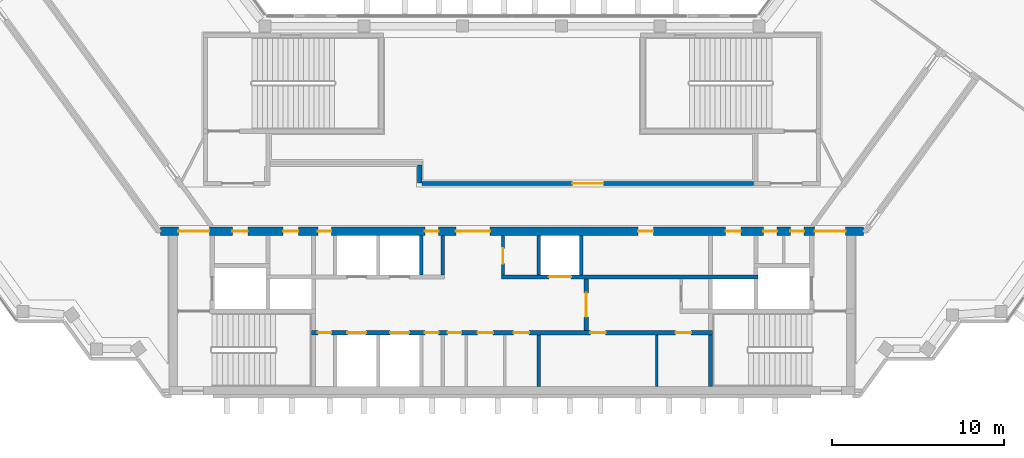
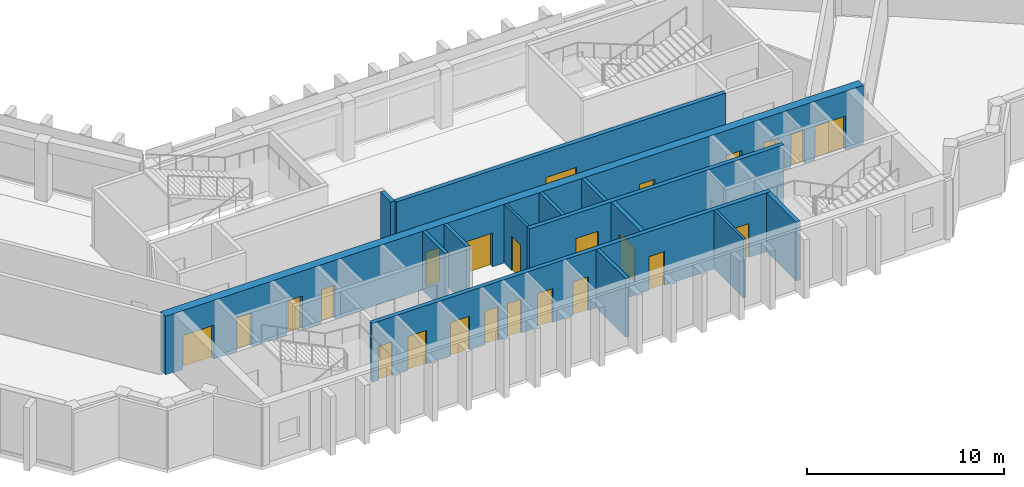
# One storey, part 5 of 9: 24 doors, 14 walls, 24 openings.
"""IFC4 building model written with IfcOpenShell, lengths in metres."""

from ifc_helpers import new_model, si_unit, direction, frame, frame_2d, origin, place, context, subcontext, project, spatial, rectangle, extrude, material, layer, layer_set, type_object, element, fill, save


model = new_model("IFC4")

# Units and contexts
model_context = context("Model", 3, precision=1e-05, world=origin(), true_north=direction((0.0, 1.0)))
body_context = subcontext(model_context, "Body", "Model", "MODEL_VIEW")
ifc_project = project(units=[si_unit("LENGTHUNIT", "METRE"), si_unit("AREAUNIT", "SQUARE_METRE"), si_unit("VOLUMEUNIT", "CUBIC_METRE"), si_unit("PLANEANGLEUNIT", "RADIAN"), si_unit("MASSUNIT", "GRAM", prefix="KILO")], contexts=[model_context])

# Site, building, storey
site_placement = place(None, origin())
site = spatial("IfcSite", under=ifc_project, at=site_placement, CompositionType="ELEMENT")
building_placement = place(site_placement, origin())
building = spatial("IfcBuilding", under=site, at=building_placement, Name="Quipu Civic Tower", CompositionType="ELEMENT")
storey_placement = place(building_placement, frame((0.0, 0.0, 307.0)))
storey = spatial("IfcBuildingStorey", under=building, at=storey_placement, Name="L71", CompositionType="ELEMENT", Elevation=307.0)

# Wall
ifc_material_1 = material(Name="Concrete C70/85", Category="concrete")
ifc_layer_1 = layer(ifc_material_1, 0.25)
ifc_layer_set_1 = layer_set([ifc_layer_1], Name="Concrete C70/85")
wall_type_1 = type_object("IfcWallType", Name="Core wall 250", PredefinedType="SHEAR", material=ifc_layer_set_1)
wall_1_placement = place(storey_placement, frame((11.574951171875, -10.5, 0.0), z_axis=(0.0, 0.0, 1.0), x_axis=(0.0, 1.0, 0.0)))
element("IfcWall", 1, at=wall_1_placement, inside=storey, type_object=wall_type_1, Name="Core wall", PredefinedType="SHEAR", context=body_context, shape_type="SweptSolid", body=[
    extrude(rectangle(XDim=3.0, YDim=0.25, at=frame_2d((1.5, 0.0))), origin(), (0.0, 0.0, 1.0), 3.64990234375),
])

# Wall, openings, doors
wall_2_placement = place(storey_placement, frame((11.699951171875, -7.375, 0.0), z_axis=(0.0, 0.0, 1.0), x_axis=(-1.0, 0.0, 0.0)))
wall_2 = element("IfcWall", 2, at=wall_2_placement, inside=storey, type_object=wall_type_1, Name="Core wall", PredefinedType="SHEAR", context=body_context, shape_type="SweptSolid", body=[
    extrude(rectangle(XDim=23.39990234375, YDim=0.25, at=frame_2d((11.699951171875, 0.0))), origin(), (0.0, 0.0, 1.0), 3.64990234375),
])
opening_1_placement = place(wall_2_placement, frame((22.22509765625, 0.0, 0.0)))
opening_1 = element("IfcOpeningElement", 3, at=opening_1_placement, cuts=wall_2, Name="Opening CD-01", PredefinedType="OPENING", context=body_context, shape_type="SweptSolid", body=[
    extrude(rectangle(XDim=0.800048828125, YDim=2.10009765625, at=frame_2d((0.39990234375, 1.050048828125))), frame((0.0, 0.135009765625, 0.0), z_axis=(0.0, -1.0, 0.0), x_axis=(1.0, 0.0, 0.0)), (0.0, 0.0, 1.0), 0.27001953125),
])
opening_2_placement = place(wall_2_placement, frame((20.199951171875, 0.0, 0.0)))
opening_2 = element("IfcOpeningElement", 4, at=opening_2_placement, cuts=wall_2, Name="Opening LD-HL1", PredefinedType="OPENING", context=body_context, shape_type="SweptSolid", body=[
    extrude(rectangle(XDim=1.10009765625, YDim=2.10009765625, at=frame_2d((0.550048828125, 1.050048828125))), frame((0.0, 0.135009765625, 0.0), z_axis=(0.0, -1.0, 0.0), x_axis=(1.0, 0.0, 0.0)), (0.0, 0.0, 1.0), 0.27001953125),
])
opening_3_placement = place(wall_2_placement, frame((17.699951171875, 0.0, 0.0)))
opening_3 = element("IfcOpeningElement", 5, at=opening_3_placement, cuts=wall_2, Name="Opening LD-HL2", PredefinedType="OPENING", context=body_context, shape_type="SweptSolid", body=[
    extrude(rectangle(XDim=1.10009765625, YDim=2.10009765625, at=frame_2d((0.550048828125, 1.050048828125))), frame((0.0, 0.135009765625, 0.0), z_axis=(0.0, -1.0, 0.0), x_axis=(1.0, 0.0, 0.0)), (0.0, 0.0, 1.0), 0.27001953125),
])
opening_4_placement = place(wall_2_placement, frame((15.97509765625, 0.0, 0.0)))
opening_4 = element("IfcOpeningElement", 6, at=opening_4_placement, cuts=wall_2, Name="Opening CD-02", PredefinedType="OPENING", context=body_context, shape_type="SweptSolid", body=[
    extrude(rectangle(XDim=0.800048828125, YDim=2.10009765625, at=frame_2d((0.39990234375, 1.050048828125))), frame((0.0, 0.135009765625, 0.0), z_axis=(0.0, -1.0, 0.0), x_axis=(1.0, 0.0, 0.0)), (0.0, 0.0, 1.0), 0.27001953125),
])
opening_5_placement = place(wall_2_placement, frame((14.64990234375, 0.0, 0.0)))
opening_5 = element("IfcOpeningElement", 7, at=opening_5_placement, cuts=wall_2, Name="Opening CD-03", PredefinedType="OPENING", context=body_context, shape_type="SweptSolid", body=[
    extrude(rectangle(XDim=0.800048828125, YDim=2.10009765625, at=frame_2d((0.39990234375, 1.050048828125))), frame((0.0, 0.135009765625, 0.0), z_axis=(0.0, -1.0, 0.0), x_axis=(1.0, 0.0, 0.0)), (0.0, 0.0, 1.0), 0.27001953125),
])
opening_6_placement = place(wall_2_placement, frame((12.800048828125, 0.0, 0.0)))
opening_6 = element("IfcOpeningElement", 8, at=opening_6_placement, cuts=wall_2, Name="Opening CD-04", PredefinedType="OPENING", context=body_context, shape_type="SweptSolid", body=[
    extrude(rectangle(XDim=0.89990234375, YDim=2.10009765625, at=frame_2d((0.449951171875, 1.050048828125))), frame((0.0, 0.135009765625, 0.0), z_axis=(0.0, -1.0, 0.0), x_axis=(1.0, 0.0, 0.0)), (0.0, 0.0, 1.0), 0.27001953125),
])
opening_7_placement = place(wall_2_placement, frame((10.699951171875, 0.0, 0.0)))
opening_7 = element("IfcOpeningElement", 9, at=opening_7_placement, cuts=wall_2, Name="Opening CD-05", PredefinedType="OPENING", context=body_context, shape_type="SweptSolid", body=[
    extrude(rectangle(XDim=0.89990234375, YDim=2.10009765625, at=frame_2d((0.449951171875, 1.050048828125))), frame((0.0, 0.135009765625, 0.0), z_axis=(0.0, -1.0, 0.0), x_axis=(1.0, 0.0, 0.0)), (0.0, 0.0, 1.0), 0.27001953125),
])
opening_8_placement = place(wall_2_placement, frame((6.237060546875, 0.0, 0.0)))
opening_8 = element("IfcOpeningElement", 10, at=opening_8_placement, cuts=wall_2, Name="Opening CD-06", PredefinedType="OPENING", context=body_context, shape_type="SweptSolid", body=[
    extrude(rectangle(XDim=0.89990234375, YDim=2.10009765625, at=frame_2d((0.449951171875, 1.050048828125))), frame((0.0, 0.135009765625, 0.0), z_axis=(0.0, -1.0, 0.0), x_axis=(1.0, 0.0, 0.0)), (0.0, 0.0, 1.0), 0.27001953125),
])
opening_9_placement = place(wall_2_placement, frame((1.262939453125, 0.0, 0.0)))
opening_9 = element("IfcOpeningElement", 11, at=opening_9_placement, cuts=wall_2, Name="Opening CD-07", PredefinedType="OPENING", context=body_context, shape_type="SweptSolid", body=[
    extrude(rectangle(XDim=0.89990234375, YDim=2.10009765625, at=frame_2d((0.449951171875, 1.050048828125))), frame((0.0, 0.135009765625, 0.0), z_axis=(0.0, -1.0, 0.0), x_axis=(1.0, 0.0, 0.0)), (0.0, 0.0, 1.0), 0.27001953125),
])
ifc_material_2 = material(Name="Fire rated steel door", Category="steel")
door_type_1 = type_object("IfcDoorType", Name="Fire door FD60 800 x 2100", OperationType="NOTDEFINED", PredefinedType="DOOR", material=ifc_material_2)
door_1_placement = place(opening_1_placement, origin())
door_1 = element("IfcDoor", 12, at=door_1_placement, inside=storey, type_object=door_type_1, Name="Door", OperationType="SINGLE_SWING_RIGHT", OverallHeight=2.10009765625, OverallWidth=0.800048828125, PredefinedType="DOOR", context=body_context, shape_type="SweptSolid", body=[
    extrude(rectangle(XDim=0.800048828125, YDim=2.10009765625, at=frame_2d((0.39990234375, 1.050048828125))), frame((0.0, 0.02490234375, 0.0), z_axis=(0.0, -1.0, 0.0), x_axis=(1.0, 0.0, 0.0)), (0.0, 0.0, 1.0), 0.050048828125),
])
fill(opening_1, door_1)
door_2_placement = place(opening_4_placement, origin())
door_2 = element("IfcDoor", 13, at=door_2_placement, inside=storey, type_object=door_type_1, Name="Door", OperationType="SINGLE_SWING_RIGHT", OverallHeight=2.10009765625, OverallWidth=0.800048828125, PredefinedType="DOOR", context=body_context, shape_type="SweptSolid", body=[
    extrude(rectangle(XDim=0.800048828125, YDim=2.10009765625, at=frame_2d((0.39990234375, 1.050048828125))), frame((0.0, 0.02490234375, 0.0), z_axis=(0.0, -1.0, 0.0), x_axis=(1.0, 0.0, 0.0)), (0.0, 0.0, 1.0), 0.050048828125),
])
fill(opening_4, door_2)
door_3_placement = place(opening_5_placement, origin())
door_3 = element("IfcDoor", 14, at=door_3_placement, inside=storey, type_object=door_type_1, Name="Door", OperationType="SINGLE_SWING_RIGHT", OverallHeight=2.10009765625, OverallWidth=0.800048828125, PredefinedType="DOOR", context=body_context, shape_type="SweptSolid", body=[
    extrude(rectangle(XDim=0.800048828125, YDim=2.10009765625, at=frame_2d((0.39990234375, 1.050048828125))), frame((0.0, 0.02490234375, 0.0), z_axis=(0.0, -1.0, 0.0), x_axis=(1.0, 0.0, 0.0)), (0.0, 0.0, 1.0), 0.050048828125),
])
fill(opening_5, door_3)
ifc_material_3 = material(Name="Fire rated steel door", Category="steel")
door_type_2 = type_object("IfcDoorType", Name="Fire door FD60 900 x 2100", OperationType="NOTDEFINED", PredefinedType="DOOR", material=ifc_material_3)
door_4_placement = place(opening_6_placement, origin())
door_4 = element("IfcDoor", 15, at=door_4_placement, inside=storey, type_object=door_type_2, Name="WC door", OperationType="SINGLE_SWING_RIGHT", OverallHeight=2.10009765625, OverallWidth=0.89990234375, PredefinedType="DOOR", context=body_context, shape_type="SweptSolid", body=[
    extrude(rectangle(XDim=0.89990234375, YDim=2.10009765625, at=frame_2d((0.449951171875, 1.050048828125))), frame((0.0, 0.02490234375, 0.0), z_axis=(0.0, -1.0, 0.0), x_axis=(1.0, 0.0, 0.0)), (0.0, 0.0, 1.0), 0.050048828125),
])
fill(opening_6, door_4)
door_5_placement = place(opening_7_placement, origin())
door_5 = element("IfcDoor", 16, at=door_5_placement, inside=storey, type_object=door_type_2, Name="WC door", OperationType="SINGLE_SWING_LEFT", OverallHeight=2.10009765625, OverallWidth=0.89990234375, PredefinedType="DOOR", context=body_context, shape_type="SweptSolid", body=[
    extrude(rectangle(XDim=0.89990234375, YDim=2.10009765625, at=frame_2d((0.449951171875, 1.050048828125))), frame((0.0, 0.02490234375, 0.0), z_axis=(0.0, -1.0, 0.0), x_axis=(1.0, 0.0, 0.0)), (0.0, 0.0, 1.0), 0.050048828125),
])
fill(opening_7, door_5)
door_6_placement = place(opening_8_placement, origin())
door_6 = element("IfcDoor", 17, at=door_6_placement, inside=storey, type_object=door_type_2, Name="Door", OperationType="SINGLE_SWING_LEFT", OverallHeight=2.10009765625, OverallWidth=0.89990234375, PredefinedType="DOOR", context=body_context, shape_type="SweptSolid", body=[
    extrude(rectangle(XDim=0.89990234375, YDim=2.10009765625, at=frame_2d((0.449951171875, 1.050048828125))), frame((0.0, 0.02490234375, 0.0), z_axis=(0.0, -1.0, 0.0), x_axis=(1.0, 0.0, 0.0)), (0.0, 0.0, 1.0), 0.050048828125),
])
fill(opening_8, door_6)
door_7_placement = place(opening_9_placement, origin())
door_7 = element("IfcDoor", 18, at=door_7_placement, inside=storey, type_object=door_type_2, Name="Door", OperationType="SINGLE_SWING_LEFT", OverallHeight=2.10009765625, OverallWidth=0.89990234375, PredefinedType="DOOR", context=body_context, shape_type="SweptSolid", body=[
    extrude(rectangle(XDim=0.89990234375, YDim=2.10009765625, at=frame_2d((0.449951171875, 1.050048828125))), frame((0.0, 0.02490234375, 0.0), z_axis=(0.0, -1.0, 0.0), x_axis=(1.0, 0.0, 0.0)), (0.0, 0.0, 1.0), 0.050048828125),
])
fill(opening_9, door_7)
ifc_material_4 = material(Name="Stainless steel", Category="steel")
door_type_3 = type_object("IfcDoorType", Name="Lift landing door 1100 x 2100", OperationType="DOUBLE_DOOR_SLIDING", PredefinedType="DOOR", material=ifc_material_4)
door_8_placement = place(opening_2_placement, origin())
door_8 = element("IfcDoor", 19, at=door_8_placement, inside=storey, type_object=door_type_3, Name="Landing door HL1", OperationType="DOUBLE_DOOR_SLIDING", OverallHeight=2.10009765625, OverallWidth=1.10009765625, PredefinedType="DOOR", context=body_context, shape_type="SweptSolid", body=[
    extrude(rectangle(XDim=1.10009765625, YDim=2.10009765625, at=frame_2d((0.550048828125, 1.050048828125))), frame((0.0, 0.02490234375, 0.0), z_axis=(0.0, -1.0, 0.0), x_axis=(1.0, 0.0, 0.0)), (0.0, 0.0, 1.0), 0.050048828125),
])
fill(opening_2, door_8)
door_9_placement = place(opening_3_placement, origin())
door_9 = element("IfcDoor", 20, at=door_9_placement, inside=storey, type_object=door_type_3, Name="Landing door HL2", OperationType="DOUBLE_DOOR_SLIDING", OverallHeight=2.10009765625, OverallWidth=1.10009765625, PredefinedType="DOOR", context=body_context, shape_type="SweptSolid", body=[
    extrude(rectangle(XDim=1.10009765625, YDim=2.10009765625, at=frame_2d((0.550048828125, 1.050048828125))), frame((0.0, 0.02490234375, 0.0), z_axis=(0.0, -1.0, 0.0), x_axis=(1.0, 0.0, 0.0)), (0.0, 0.0, 1.0), 0.050048828125),
])
fill(opening_3, door_9)

# Wall, opening, door
wall_3_placement = place(storey_placement, frame((4.324951171875, -7.25, 0.0), z_axis=(0.0, 0.0, 1.0), x_axis=(0.0, 1.0, 0.0)))
wall_3 = element("IfcWall", 21, at=wall_3_placement, inside=storey, type_object=wall_type_1, Name="Core wall", PredefinedType="SHEAR", context=body_context, shape_type="SweptSolid", body=[
    extrude(rectangle(XDim=3.0, YDim=0.25, at=frame_2d((1.5, 0.0))), origin(), (0.0, 0.0, 1.0), 3.64990234375),
])
opening_10_placement = place(wall_3_placement, frame((0.800048828125, 0.0, 0.0)))
opening_10 = element("IfcOpeningElement", 22, at=opening_10_placement, cuts=wall_3, Name="Opening CD-10", PredefinedType="OPENING", context=body_context, shape_type="SweptSolid", body=[
    extrude(rectangle(XDim=1.39990234375, YDim=2.10009765625, at=frame_2d((0.699951171875, 1.050048828125))), frame((0.0, 0.135009765625, 0.0), z_axis=(0.0, -1.0, 0.0), x_axis=(1.0, 0.0, 0.0)), (0.0, 0.0, 1.0), 0.27001953125),
])
ifc_material_5 = material(Name="Fire rated steel door", Category="steel")
door_type_4 = type_object("IfcDoorType", Name="Fire door FD60 double 1400 x 2100", OperationType="NOTDEFINED", PredefinedType="DOOR", material=ifc_material_5)
door_10_placement = place(opening_10_placement, origin())
door_10 = element("IfcDoor", 23, at=door_10_placement, inside=storey, type_object=door_type_4, Name="Hall door", OperationType="DOUBLE_DOOR_SINGLE_SWING", OverallHeight=2.10009765625, OverallWidth=1.39990234375, PredefinedType="DOOR", context=body_context, shape_type="SweptSolid", body=[
    extrude(rectangle(XDim=1.39990234375, YDim=2.10009765625, at=frame_2d((0.699951171875, 1.050048828125))), frame((0.0, 0.02490234375, 0.0), z_axis=(0.0, -1.0, 0.0), x_axis=(1.0, 0.0, 0.0)), (0.0, 0.0, 1.0), 0.050048828125),
])
fill(opening_10, door_10)

wall_4_placement = place(storey_placement, frame((-0.60009765625, -4.125, 0.0), z_axis=(0.0, 0.0, 1.0), x_axis=(1.0, 0.0, 0.0)))
wall_4 = element("IfcWall", 24, at=wall_4_placement, inside=storey, type_object=wall_type_1, Name="Core wall", PredefinedType="SHEAR", context=body_context, shape_type="SweptSolid", body=[
    extrude(rectangle(XDim=14.9501953125, YDim=0.25, at=frame_2d((7.47509765625, 0.0))), origin(), (0.0, 0.0, 1.0), 3.64990234375),
])
opening_11_placement = place(wall_4_placement, frame((2.75, 0.0, 0.0)))
opening_11 = element("IfcOpeningElement", 25, at=opening_11_placement, cuts=wall_4, Name="Opening LD-FF3", PredefinedType="OPENING", context=body_context, shape_type="SweptSolid", body=[
    extrude(rectangle(XDim=1.300048828125, YDim=2.10009765625, at=frame_2d((0.64990234375, 1.050048828125))), frame((0.0, 0.135009765625, 0.0), z_axis=(0.0, -1.0, 0.0), x_axis=(1.0, 0.0, 0.0)), (0.0, 0.0, 1.0), 0.27001953125),
])
ifc_material_6 = material(Name="Stainless steel", Category="steel")
door_type_5 = type_object("IfcDoorType", Name="Lift landing door 1300 x 2100", OperationType="DOUBLE_DOOR_SLIDING", PredefinedType="DOOR", material=ifc_material_6)
door_11_placement = place(opening_11_placement, origin())
door_11 = element("IfcDoor", 26, at=door_11_placement, inside=storey, type_object=door_type_5, Name="Landing door FF3", OperationType="DOUBLE_DOOR_SLIDING", OverallHeight=2.10009765625, OverallWidth=1.300048828125, PredefinedType="DOOR", context=body_context, shape_type="SweptSolid", body=[
    extrude(rectangle(XDim=1.300048828125, YDim=2.10009765625, at=frame_2d((0.64990234375, 1.050048828125))), frame((0.0, 0.02490234375, 0.0), z_axis=(0.0, -1.0, 0.0), x_axis=(1.0, 0.0, 0.0)), (0.0, 0.0, 1.0), 0.050048828125),
])
fill(opening_11, door_11)

# Wall, openings, doors
ifc_material_7 = material(Name="Concrete C70/85", Category="concrete")
ifc_layer_2 = layer(ifc_material_7, 0.5)
ifc_layer_set_2 = layer_set([ifc_layer_2], Name="Concrete C70/85")
wall_type_2 = type_object("IfcWallType", Name="Core wall 500", PredefinedType="SHEAR", material=ifc_layer_set_2)
wall_5_placement = place(storey_placement, frame((20.489990234375, -1.449951171875, 0.0), z_axis=(0.0, 0.0, 1.0), x_axis=(-1.0, 0.0, 0.0)))
wall_5 = element("IfcWall", 27, at=wall_5_placement, inside=storey, type_object=wall_type_2, Name="Core wall", PredefinedType="SHEAR", context=body_context, shape_type="SweptSolid", body=[
    extrude(rectangle(XDim=40.97998046875, YDim=0.5, at=frame_2d((20.489990234375, 0.0))), origin(), (0.0, 0.0, 1.0), 3.64990234375),
])
opening_12_placement = place(wall_5_placement, frame((38.139892578125, 0.0, 0.0)))
opening_12 = element("IfcOpeningElement", 28, at=opening_12_placement, cuts=wall_5, Name="Opening CD-13", PredefinedType="OPENING", context=body_context, shape_type="SweptSolid", body=[
    extrude(rectangle(XDim=1.800048828125, YDim=2.10009765625, at=frame_2d((0.89990234375, 1.050048828125))), frame((0.0, 0.260009765625, 0.0), z_axis=(0.0, -1.0, 0.0), x_axis=(1.0, 0.0, 0.0)), (0.0, 0.0, 1.0), 0.52001953125),
])
opening_13_placement = place(wall_5_placement, frame((35.889892578125, 0.0, 0.0)))
opening_13 = element("IfcOpeningElement", 29, at=opening_13_placement, cuts=wall_5, Name="Opening CD-14", PredefinedType="OPENING", context=body_context, shape_type="SweptSolid", body=[
    extrude(rectangle(XDim=0.89990234375, YDim=2.10009765625, at=frame_2d((0.449951171875, 1.050048828125))), frame((0.0, 0.260009765625, 0.0), z_axis=(0.0, -1.0, 0.0), x_axis=(1.0, 0.0, 0.0)), (0.0, 0.0, 1.0), 0.52001953125),
])
opening_14_placement = place(wall_5_placement, frame((32.93994140625, 0.0, 0.0)))
opening_14 = element("IfcOpeningElement", 30, at=opening_14_placement, cuts=wall_5, Name="Opening CD-15", PredefinedType="OPENING", context=body_context, shape_type="SweptSolid", body=[
    extrude(rectangle(XDim=0.89990234375, YDim=2.10009765625, at=frame_2d((0.449951171875, 1.050048828125))), frame((0.0, 0.260009765625, 0.0), z_axis=(0.0, -1.0, 0.0), x_axis=(1.0, 0.0, 0.0)), (0.0, 0.0, 1.0), 0.52001953125),
])
opening_15_placement = place(wall_5_placement, frame((31.014892578125, 0.0, 0.0)))
opening_15 = element("IfcOpeningElement", 31, at=opening_15_placement, cuts=wall_5, Name="Opening CD-16", PredefinedType="OPENING", context=body_context, shape_type="SweptSolid", body=[
    extrude(rectangle(XDim=0.800048828125, YDim=2.10009765625, at=frame_2d((0.39990234375, 1.050048828125))), frame((0.0, 0.260009765625, 0.0), z_axis=(0.0, -1.0, 0.0), x_axis=(1.0, 0.0, 0.0)), (0.0, 0.0, 1.0), 0.52001953125),
])
opening_16_placement = place(wall_5_placement, frame((24.764892578125, 0.0, 0.0)))
opening_16 = element("IfcOpeningElement", 32, at=opening_16_placement, cuts=wall_5, Name="Opening CD-17", PredefinedType="OPENING", context=body_context, shape_type="SweptSolid", body=[
    extrude(rectangle(XDim=0.800048828125, YDim=2.10009765625, at=frame_2d((0.39990234375, 1.050048828125))), frame((0.0, 0.260009765625, 0.0), z_axis=(0.0, -1.0, 0.0), x_axis=(1.0, 0.0, 0.0)), (0.0, 0.0, 1.0), 0.52001953125),
])
opening_17_placement = place(wall_5_placement, frame((21.764892578125, 0.0, 0.0)))
opening_17 = element("IfcOpeningElement", 33, at=opening_17_placement, cuts=wall_5, Name="Opening CD-18", PredefinedType="OPENING", context=body_context, shape_type="SweptSolid", body=[
    extrude(rectangle(XDim=2.0, YDim=2.10009765625, at=frame_2d((1.0, 1.050048828125))), frame((0.0, 0.260009765625, 0.0), z_axis=(0.0, -1.0, 0.0), x_axis=(1.0, 0.0, 0.0)), (0.0, 0.0, 1.0), 0.52001953125),
])
opening_18_placement = place(wall_5_placement, frame((12.239990234375, 0.0, 0.0)))
opening_18 = element("IfcOpeningElement", 34, at=opening_18_placement, cuts=wall_5, Name="Opening CD-19", PredefinedType="OPENING", context=body_context, shape_type="SweptSolid", body=[
    extrude(rectangle(XDim=0.89990234375, YDim=2.10009765625, at=frame_2d((0.449951171875, 1.050048828125))), frame((0.0, 0.260009765625, 0.0), z_axis=(0.0, -1.0, 0.0), x_axis=(1.0, 0.0, 0.0)), (0.0, 0.0, 1.0), 0.52001953125),
])
opening_19_placement = place(wall_5_placement, frame((7.139892578125, 0.0, 0.0)))
opening_19 = element("IfcOpeningElement", 35, at=opening_19_placement, cuts=wall_5, Name="Opening CD-20", PredefinedType="OPENING", context=body_context, shape_type="SweptSolid", body=[
    extrude(rectangle(XDim=0.89990234375, YDim=2.10009765625, at=frame_2d((0.449951171875, 1.050048828125))), frame((0.0, 0.260009765625, 0.0), z_axis=(0.0, -1.0, 0.0), x_axis=(1.0, 0.0, 0.0)), (0.0, 0.0, 1.0), 0.52001953125),
])
opening_20_placement = place(wall_5_placement, frame((5.027587890625, 0.0, 0.0)))
opening_20 = element("IfcOpeningElement", 36, at=opening_20_placement, cuts=wall_5, Name="Opening CD-21", PredefinedType="OPENING", context=body_context, shape_type="SweptSolid", body=[
    extrude(rectangle(XDim=0.800048828125, YDim=2.10009765625, at=frame_2d((0.39990234375, 1.050048828125))), frame((0.0, 0.260009765625, 0.0), z_axis=(0.0, -1.0, 0.0), x_axis=(1.0, 0.0, 0.0)), (0.0, 0.0, 1.0), 0.52001953125),
])
opening_21_placement = place(wall_5_placement, frame((3.452392578125, 0.0, 0.0)))
opening_21 = element("IfcOpeningElement", 37, at=opening_21_placement, cuts=wall_5, Name="Opening CD-22", PredefinedType="OPENING", context=body_context, shape_type="SweptSolid", body=[
    extrude(rectangle(XDim=0.800048828125, YDim=2.10009765625, at=frame_2d((0.39990234375, 1.050048828125))), frame((0.0, 0.260009765625, 0.0), z_axis=(0.0, -1.0, 0.0), x_axis=(1.0, 0.0, 0.0)), (0.0, 0.0, 1.0), 0.52001953125),
])
opening_22_placement = place(wall_5_placement, frame((1.0400390625, 0.0, 0.0)))
opening_22 = element("IfcOpeningElement", 38, at=opening_22_placement, cuts=wall_5, Name="Opening CD-23", PredefinedType="OPENING", context=body_context, shape_type="SweptSolid", body=[
    extrude(rectangle(XDim=1.800048828125, YDim=2.10009765625, at=frame_2d((0.89990234375, 1.050048828125))), frame((0.0, 0.260009765625, 0.0), z_axis=(0.0, -1.0, 0.0), x_axis=(1.0, 0.0, 0.0)), (0.0, 0.0, 1.0), 0.52001953125),
])
door_12_placement = place(opening_15_placement, origin())
door_12 = element("IfcDoor", 39, at=door_12_placement, inside=storey, type_object=door_type_1, Name="Door", OperationType="SINGLE_SWING_RIGHT", OverallHeight=2.10009765625, OverallWidth=0.800048828125, PredefinedType="DOOR", context=body_context, shape_type="SweptSolid", body=[
    extrude(rectangle(XDim=0.800048828125, YDim=2.10009765625, at=frame_2d((0.39990234375, 1.050048828125))), frame((0.0, 0.02490234375, 0.0), z_axis=(0.0, -1.0, 0.0), x_axis=(1.0, 0.0, 0.0)), (0.0, 0.0, 1.0), 0.050048828125),
])
fill(opening_15, door_12)
door_13_placement = place(opening_16_placement, origin())
door_13 = element("IfcDoor", 40, at=door_13_placement, inside=storey, type_object=door_type_1, Name="Door", OperationType="SINGLE_SWING_RIGHT", OverallHeight=2.10009765625, OverallWidth=0.800048828125, PredefinedType="DOOR", context=body_context, shape_type="SweptSolid", body=[
    extrude(rectangle(XDim=0.800048828125, YDim=2.10009765625, at=frame_2d((0.39990234375, 1.050048828125))), frame((0.0, 0.02490234375, 0.0), z_axis=(0.0, -1.0, 0.0), x_axis=(1.0, 0.0, 0.0)), (0.0, 0.0, 1.0), 0.050048828125),
])
fill(opening_16, door_13)
door_14_placement = place(opening_20_placement, origin())
door_14 = element("IfcDoor", 41, at=door_14_placement, inside=storey, type_object=door_type_1, Name="Door", OperationType="SINGLE_SWING_LEFT", OverallHeight=2.10009765625, OverallWidth=0.800048828125, PredefinedType="DOOR", context=body_context, shape_type="SweptSolid", body=[
    extrude(rectangle(XDim=0.800048828125, YDim=2.10009765625, at=frame_2d((0.39990234375, 1.050048828125))), frame((0.0, 0.02490234375, 0.0), z_axis=(0.0, -1.0, 0.0), x_axis=(1.0, 0.0, 0.0)), (0.0, 0.0, 1.0), 0.050048828125),
])
fill(opening_20, door_14)
door_15_placement = place(opening_21_placement, origin())
door_15 = element("IfcDoor", 42, at=door_15_placement, inside=storey, type_object=door_type_1, Name="Door", OperationType="SINGLE_SWING_LEFT", OverallHeight=2.10009765625, OverallWidth=0.800048828125, PredefinedType="DOOR", context=body_context, shape_type="SweptSolid", body=[
    extrude(rectangle(XDim=0.800048828125, YDim=2.10009765625, at=frame_2d((0.39990234375, 1.050048828125))), frame((0.0, 0.02490234375, 0.0), z_axis=(0.0, -1.0, 0.0), x_axis=(1.0, 0.0, 0.0)), (0.0, 0.0, 1.0), 0.050048828125),
])
fill(opening_21, door_15)
door_16_placement = place(opening_13_placement, origin())
door_16 = element("IfcDoor", 43, at=door_16_placement, inside=storey, type_object=door_type_2, Name="Door", OperationType="SINGLE_SWING_RIGHT", OverallHeight=2.10009765625, OverallWidth=0.89990234375, PredefinedType="DOOR", context=body_context, shape_type="SweptSolid", body=[
    extrude(rectangle(XDim=0.89990234375, YDim=2.10009765625, at=frame_2d((0.449951171875, 1.050048828125))), frame((0.0, 0.02490234375, 0.0), z_axis=(0.0, -1.0, 0.0), x_axis=(1.0, 0.0, 0.0)), (0.0, 0.0, 1.0), 0.050048828125),
])
fill(opening_13, door_16)
door_17_placement = place(opening_14_placement, origin())
door_17 = element("IfcDoor", 44, at=door_17_placement, inside=storey, type_object=door_type_2, Name="Riser door", OperationType="SINGLE_SWING_RIGHT", OverallHeight=2.10009765625, OverallWidth=0.89990234375, PredefinedType="DOOR", context=body_context, shape_type="SweptSolid", body=[
    extrude(rectangle(XDim=0.89990234375, YDim=2.10009765625, at=frame_2d((0.449951171875, 1.050048828125))), frame((0.0, 0.02490234375, 0.0), z_axis=(0.0, -1.0, 0.0), x_axis=(1.0, 0.0, 0.0)), (0.0, 0.0, 1.0), 0.050048828125),
])
fill(opening_14, door_17)
door_18_placement = place(opening_18_placement, origin())
door_18 = element("IfcDoor", 45, at=door_18_placement, inside=storey, type_object=door_type_2, Name="Door", OperationType="SINGLE_SWING_LEFT", OverallHeight=2.10009765625, OverallWidth=0.89990234375, PredefinedType="DOOR", context=body_context, shape_type="SweptSolid", body=[
    extrude(rectangle(XDim=0.89990234375, YDim=2.10009765625, at=frame_2d((0.449951171875, 1.050048828125))), frame((0.0, 0.02490234375, 0.0), z_axis=(0.0, -1.0, 0.0), x_axis=(1.0, 0.0, 0.0)), (0.0, 0.0, 1.0), 0.050048828125),
])
fill(opening_18, door_18)
door_19_placement = place(opening_19_placement, origin())
door_19 = element("IfcDoor", 46, at=door_19_placement, inside=storey, type_object=door_type_2, Name="Riser door", OperationType="SINGLE_SWING_LEFT", OverallHeight=2.10009765625, OverallWidth=0.89990234375, PredefinedType="DOOR", context=body_context, shape_type="SweptSolid", body=[
    extrude(rectangle(XDim=0.89990234375, YDim=2.10009765625, at=frame_2d((0.449951171875, 1.050048828125))), frame((0.0, 0.02490234375, 0.0), z_axis=(0.0, -1.0, 0.0), x_axis=(1.0, 0.0, 0.0)), (0.0, 0.0, 1.0), 0.050048828125),
])
fill(opening_19, door_19)
ifc_material_8 = material(Name="Fire rated steel door", Category="steel")
door_type_6 = type_object("IfcDoorType", Name="Fire door FD90 double 1800 x 2100", OperationType="NOTDEFINED", PredefinedType="DOOR", material=ifc_material_8)
door_20_placement = place(opening_12_placement, origin())
door_20 = element("IfcDoor", 47, at=door_20_placement, inside=storey, type_object=door_type_6, Name="Lobby door", OperationType="DOUBLE_DOOR_SINGLE_SWING", OverallHeight=2.10009765625, OverallWidth=1.800048828125, PredefinedType="DOOR", context=body_context, shape_type="SweptSolid", body=[
    extrude(rectangle(XDim=1.800048828125, YDim=2.10009765625, at=frame_2d((0.89990234375, 1.050048828125))), frame((0.0, 0.02490234375, 0.0), z_axis=(0.0, -1.0, 0.0), x_axis=(1.0, 0.0, 0.0)), (0.0, 0.0, 1.0), 0.050048828125),
])
fill(opening_12, door_20)
door_21_placement = place(opening_22_placement, origin())
door_21 = element("IfcDoor", 48, at=door_21_placement, inside=storey, type_object=door_type_6, Name="Lobby door", OperationType="DOUBLE_DOOR_SINGLE_SWING", OverallHeight=2.10009765625, OverallWidth=1.800048828125, PredefinedType="DOOR", context=body_context, shape_type="SweptSolid", body=[
    extrude(rectangle(XDim=1.800048828125, YDim=2.10009765625, at=frame_2d((0.89990234375, 1.050048828125))), frame((0.0, 0.02490234375, 0.0), z_axis=(0.0, -1.0, 0.0), x_axis=(1.0, 0.0, 0.0)), (0.0, 0.0, 1.0), 0.050048828125),
])
fill(opening_22, door_21)
ifc_material_9 = material(Name="Fire rated steel door", Category="steel")
door_type_7 = type_object("IfcDoorType", Name="Fire door FD90 double 2000 x 2100", OperationType="NOTDEFINED", PredefinedType="DOOR", material=ifc_material_9)
door_22_placement = place(opening_17_placement, origin())
door_22 = element("IfcDoor", 49, at=door_22_placement, inside=storey, type_object=door_type_7, Name="Lobby door", OperationType="DOUBLE_DOOR_SINGLE_SWING", OverallHeight=2.10009765625, OverallWidth=2.0, PredefinedType="DOOR", context=body_context, shape_type="SweptSolid", body=[
    extrude(rectangle(XDim=2.0, YDim=2.10009765625, at=frame_2d((1.0, 1.050048828125))), frame((0.0, 0.02490234375, 0.0), z_axis=(0.0, -1.0, 0.0), x_axis=(1.0, 0.0, 0.0)), (0.0, 0.0, 1.0), 0.050048828125),
])
fill(opening_17, door_22)

# Wall
ifc_material_10 = material(Name="Concrete C50/60", Category="concrete")
ifc_layer_3 = layer(ifc_material_10, 0.25)
ifc_layer_set_3 = layer_set([ifc_layer_3], Name="Concrete C50/60")
wall_type_3 = type_object("IfcWallType", Name="Corridor wall 250 concrete", PredefinedType="SOLIDWALL", material=ifc_layer_set_3)
wall_6_placement = place(storey_placement, frame((-5.375, 2.39990234375, 0.0), z_axis=(0.0, 0.0, 1.0), x_axis=(0.0, -1.0, 0.0)))
element("IfcWall", 50, at=wall_6_placement, inside=storey, type_object=wall_type_3, Name="Corridor wall C08", PredefinedType="SOLIDWALL", context=body_context, shape_type="SweptSolid", body=[
    extrude(rectangle(XDim=1.041259765625, YDim=0.25, at=frame_2d((0.5205078125, 0.0))), origin(), (0.0, 0.0, 1.0), 3.64990234375),
])

# Wall, opening, door
wall_7_placement = place(storey_placement, frame((-5.246337890625, 1.324951171875, 0.0), z_axis=(0.0, 0.0, 1.0), x_axis=(1.0, 0.0, 0.0)))
wall_7 = element("IfcWall", 51, at=wall_7_placement, inside=storey, type_object=wall_type_3, Name="Corridor wall C09", PredefinedType="SOLIDWALL", context=body_context, shape_type="SweptSolid", body=[
    extrude(rectangle(XDim=19.33642578125, YDim=0.25, at=frame_2d((9.668212890625, 0.0))), origin(), (0.0, 0.0, 1.0), 3.64990234375),
])
opening_23_placement = place(wall_7_placement, frame((8.771240234375, 0.0, 0.0)))
opening_23 = element("IfcOpeningElement", 52, at=opening_23_placement, cuts=wall_7, Name="Opening D004", PredefinedType="OPENING", context=body_context, shape_type="SweptSolid", body=[
    extrude(rectangle(XDim=1.800048828125, YDim=2.10009765625, at=frame_2d((0.89990234375, 1.050048828125))), frame((0.0, 0.135009765625, 0.0), z_axis=(0.0, -1.0, 0.0), x_axis=(1.0, 0.0, 0.0)), (0.0, 0.0, 1.0), 0.27001953125),
])
ifc_material_11 = material(Name="Fire rated timber door set with metal frame", Category="wood")
door_type_8 = type_object("IfcDoorType", Name="Double door 1800 x 2100 FD60", OperationType="DOUBLE_DOOR_SINGLE_SWING", PredefinedType="DOOR", material=ifc_material_11)
door_23_placement = place(opening_23_placement, origin())
door_23 = element("IfcDoor", 53, at=door_23_placement, inside=storey, type_object=door_type_8, Name="Door D004", OperationType="DOUBLE_DOOR_SINGLE_SWING", OverallHeight=2.10009765625, OverallWidth=1.800048828125, PredefinedType="DOOR", context=body_context, shape_type="SweptSolid", body=[
    extrude(rectangle(XDim=1.800048828125, YDim=2.10009765625, at=frame_2d((0.89990234375, 1.050048828125))), frame((0.0, 0.02490234375, 0.0), z_axis=(0.0, -1.0, 0.0), x_axis=(1.0, 0.0, 0.0)), (0.0, 0.0, 1.0), 0.050048828125),
])
fill(opening_23, door_23)

# Wall
ifc_material_12 = material(Name="Gypsum board partition")
ifc_layer_4 = layer(ifc_material_12, 0.14990234375)
ifc_layer_set_4 = layer_set([ifc_layer_4], Name="Gypsum board partition")
wall_type_4 = type_object("IfcWallType", Name="Partition 150", PredefinedType="PARTITIONING", material=ifc_layer_set_4)
wall_8_placement = place(storey_placement, frame((8.449951171875, -10.5, 0.0), z_axis=(0.0, 0.0, 1.0), x_axis=(0.0, 1.0, 0.0)))
element("IfcWall", 54, at=wall_8_placement, inside=storey, type_object=wall_type_4, Name="Partition", PredefinedType="PARTITIONING", context=body_context, shape_type="SweptSolid", body=[
    extrude(rectangle(XDim=3.0, YDim=0.14990234375, at=frame_2d((1.5, 0.0))), origin(), (0.0, 0.0, 1.0), 3.64990234375),
])

# Wall, opening, door
wall_9_placement = place(storey_placement, frame((-0.52490234375, -4.0, 0.0), z_axis=(0.0, 0.0, 1.0), x_axis=(0.0, 1.0, 0.0)))
wall_9 = element("IfcWall", 55, at=wall_9_placement, inside=storey, type_object=wall_type_4, Name="Partition", PredefinedType="PARTITIONING", context=body_context, shape_type="SweptSolid", body=[
    extrude(rectangle(XDim=2.300048828125, YDim=0.14990234375, at=frame_2d((1.14990234375, 0.0))), origin(), (0.0, 0.0, 1.0), 3.64990234375),
])
opening_24_placement = place(wall_9_placement, frame((0.64990234375, 0.0, 0.0)))
opening_24 = element("IfcOpeningElement", 56, at=opening_24_placement, cuts=wall_9, Name="Opening CD-12", PredefinedType="OPENING", context=body_context, shape_type="SweptSolid", body=[
    extrude(rectangle(XDim=0.89990234375, YDim=2.10009765625, at=frame_2d((0.449951171875, 1.050048828125))), frame((0.0, 0.0849609375, 0.0), z_axis=(0.0, -1.0, 0.0), x_axis=(1.0, 0.0, 0.0)), (0.0, 0.0, 1.0), 0.169921875),
])
door_24_placement = place(opening_24_placement, origin())
door_24 = element("IfcDoor", 57, at=door_24_placement, inside=storey, type_object=door_type_2, Name="WC door", OperationType="SINGLE_SWING_LEFT", OverallHeight=2.10009765625, OverallWidth=0.89990234375, PredefinedType="DOOR", context=body_context, shape_type="SweptSolid", body=[
    extrude(rectangle(XDim=0.89990234375, YDim=2.10009765625, at=frame_2d((0.449951171875, 1.050048828125))), frame((0.0, 0.02490234375, 0.0), z_axis=(0.0, -1.0, 0.0), x_axis=(1.0, 0.0, 0.0)), (0.0, 0.0, 1.0), 0.050048828125),
])
fill(opening_24, door_24)

# Walls
ifc_material_13 = material(Name="Concrete C40/50", Category="concrete")
ifc_layer_5 = layer(ifc_material_13, 0.199951171875)
ifc_layer_set_5 = layer_set([ifc_layer_5], Name="Concrete C40/50")
wall_type_5 = type_object("IfcWallType", Name="Shaft wall 200", PredefinedType="SOLIDWALL", material=ifc_layer_set_5)
wall_10_placement = place(storey_placement, frame((1.550048828125, -10.5, 0.0), z_axis=(0.0, 0.0, 1.0), x_axis=(0.0, 1.0, 0.0)))
element("IfcWall", 58, at=wall_10_placement, inside=storey, type_object=wall_type_5, Name="Shaft wall", PredefinedType="SOLIDWALL", context=body_context, shape_type="SweptSolid", body=[
    extrude(rectangle(XDim=3.0, YDim=0.199951171875, at=frame_2d((1.5, 0.0))), origin(), (0.0, 0.0, 1.0), 3.64990234375),
])
for number, where, z_axis, x_axis, name in (
    (59, (-5.300048828125, -4.0, 0.0), (0.0, 0.0, 1.0), (0.0, 1.0, 0.0), "Shaft wall"),
    (60, (-4.050048828125, -4.0, 0.0), (0.0, 0.0, 1.0), (0.0, 1.0, 0.0), "Shaft wall"),
    (61, (1.550048828125, -4.0, 0.0), (0.0, 0.0, 1.0), (0.0, 1.0, 0.0), "Shaft wall"),
    (62, (4.050048828125, -4.0, 0.0), (0.0, 0.0, 1.0), (0.0, 1.0, 0.0), "Shaft wall"),
):
    element("IfcWall", number, at=place(storey_placement, frame(where, z_axis=z_axis, x_axis=x_axis)), inside=storey, type_object=wall_type_5, Name=name, PredefinedType="SOLIDWALL", context=body_context, shape_type="SweptSolid", body=[
        extrude(rectangle(XDim=2.300048828125, YDim=0.199951171875, at=frame_2d((1.14990234375, 0.0))), origin(), (0.0, 0.0, 1.0), 3.64990234375),
    ])

save(model, "model.ifc")
